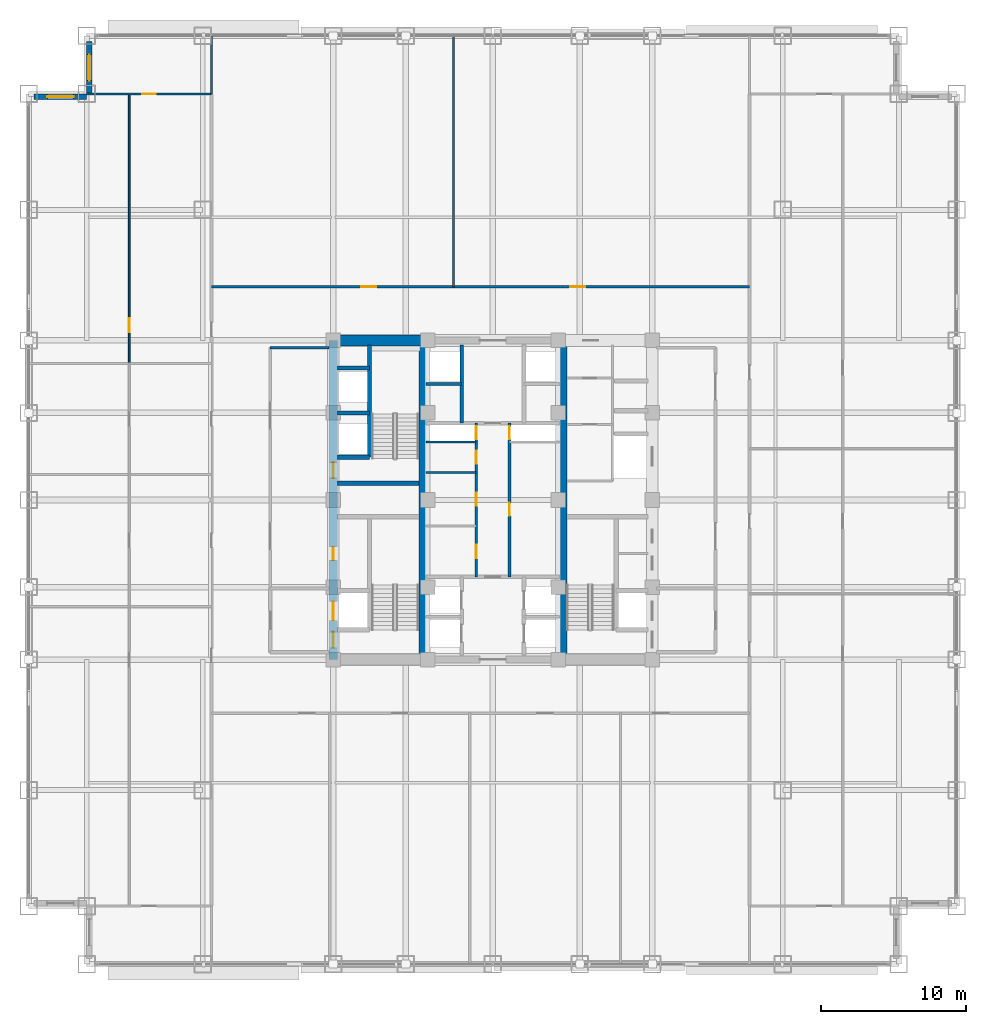
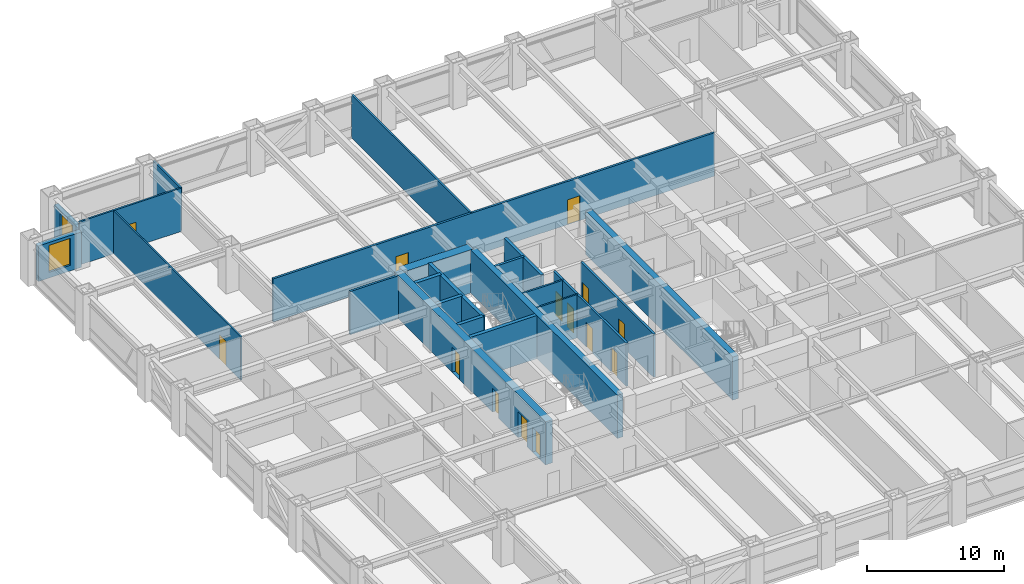
# One storey, part 25 of 32: 23 walls, 14 doors, 2 windows, 16 openings.
"""IFC4 building model written with IfcOpenShell, lengths in metres."""

from ifc_helpers import new_model, si_unit, direction, frame, frame_2d, origin, place, context, subcontext, project, spatial, rectangle, extrude, source, transform, mapped, material, layer, layer_set, type_object, element, fill, save


model = new_model("IFC4")

# Units and contexts
model_context = context("Model", 3, precision=1e-05, world=origin(), true_north=direction((0.0, 1.0)))
body_context = subcontext(model_context, "Body", "Model", "MODEL_VIEW")
ifc_project = project(units=[si_unit("LENGTHUNIT", "METRE"), si_unit("AREAUNIT", "SQUARE_METRE"), si_unit("VOLUMEUNIT", "CUBIC_METRE"), si_unit("PLANEANGLEUNIT", "RADIAN"), si_unit("MASSUNIT", "GRAM", prefix="KILO")], contexts=[model_context])

# Site, building, storey
site_placement = place(None, origin())
site = spatial("IfcSite", under=ifc_project, at=site_placement, CompositionType="ELEMENT")
building_placement = place(site_placement, origin())
building = spatial("IfcBuilding", under=site, at=building_placement, Name="Khorayat Bourse Tower", CompositionType="ELEMENT")
storey_placement = place(building_placement, frame((0.0, 0.0, 128.300048828125)))
storey = spatial("IfcBuildingStorey", under=building, at=storey_placement, Name="L29", CompositionType="ELEMENT", Elevation=128.300048828125)

# Wall, openings, doors
ifc_material_1 = material(Name="Concrete C60/75", Category="concrete")
ifc_layer_1 = layer(ifc_material_1, 0.60009765625)
ifc_layer_set_1 = layer_set([ifc_layer_1], Name="Concrete C60/75")
wall_type_1 = type_object("IfcWallType", Name="WAL-CORE-600", PredefinedType="SHEAR", material=ifc_layer_set_1)
shared_shape_1 = source(origin(), body_context, "Body", "SweptSolid", [
    extrude(rectangle(XDim=22.0, YDim=0.60009765625, at=frame_2d((11.0, 0.0))), origin(), (0.0, 0.0, 1.0), 3.83984375),
])
wall_1_placement = place(storey_placement, frame((-11.0, -11.0, 0.0), z_axis=(0.0, 0.0, 1.0), x_axis=(0.0, 1.0, 0.0)))
wall_1 = element("IfcWall", 1, at=wall_1_placement, inside=storey, type_object=wall_type_1, Name="L29 Core Shear Wall CORE-W", PredefinedType="SHEAR", context=body_context, shape_type="MappedRepresentation", body=[
    mapped(shared_shape_1, transform((0.0, 0.0, 0.0), scale=1.0)),
])
shared_shape_2 = source(origin(), body_context, "Body", "SweptSolid", [
    extrude(rectangle(XDim=1.10009765625, YDim=2.199951171875, at=frame_2d((0.550048828125, 1.10009765625))), frame((0.0, 0.31005859375, 0.0), z_axis=(0.0, -1.0, 0.0), x_axis=(1.0, 0.0, 0.0)), (0.0, 0.0, 1.0), 0.6201171875),
])
opening_1_placement = place(wall_1_placement, frame((0.800048828125, 0.0, 0.0)))
opening_1 = element("IfcOpeningElement", 2, at=opening_1_placement, cuts=wall_1, Name="Opening DI-01", PredefinedType="OPENING", context=body_context, shape_type="MappedRepresentation", body=[
    mapped(shared_shape_2, transform((0.0, 0.0, 0.0), scale=1.0)),
])
opening_2_placement = place(wall_1_placement, frame((12.5, 0.0, 0.0)))
opening_2 = element("IfcOpeningElement", 3, at=opening_2_placement, cuts=wall_1, Name="Opening DI-01", PredefinedType="OPENING", context=body_context, shape_type="MappedRepresentation", body=[
    mapped(shared_shape_2, transform((0.0, 0.0, 0.0), scale=1.0)),
])
shared_shape_3 = source(origin(), body_context, "Body", "SweptSolid", [
    extrude(rectangle(XDim=0.89990234375, YDim=2.14990234375, at=frame_2d((0.449951171875, 1.074951171875))), frame((0.0, 0.31005859375, 0.0), z_axis=(0.0, -1.0, 0.0), x_axis=(1.0, 0.0, 0.0)), (0.0, 0.0, 1.0), 0.6201171875),
])
opening_3_placement = place(wall_1_placement, frame((6.85009765625, 0.0, 0.0)))
opening_3 = element("IfcOpeningElement", 4, at=opening_3_placement, cuts=wall_1, Name="Opening DI-06", PredefinedType="OPENING", context=body_context, shape_type="MappedRepresentation", body=[
    mapped(shared_shape_3, transform((0.0, 0.0, 0.0), scale=1.0)),
])
shared_shape_4 = source(origin(), body_context, "Body", "SweptSolid", [
    extrude(rectangle(XDim=1.300048828125, YDim=2.300048828125, at=frame_2d((0.64990234375, 1.14990234375))), frame((0.0, 0.31005859375, 0.0), z_axis=(0.0, -1.0, 0.0), x_axis=(1.0, 0.0, 0.0)), (0.0, 0.0, 1.0), 0.6201171875),
])
opening_4_placement = place(wall_1_placement, frame((2.699951171875, 0.0, 0.0)))
opening_4 = element("IfcOpeningElement", 5, at=opening_4_placement, cuts=wall_1, Name="Opening LD-02", PredefinedType="OPENING", context=body_context, shape_type="MappedRepresentation", body=[
    mapped(shared_shape_4, transform((0.0, 0.0, 0.0), scale=1.0)),
])
ifc_material_2 = material(Name="Fire-rated steel acoustic leaf", Category="steel")
door_type_1 = type_object("IfcDoorType", Name="DR-INT-STAIR-1100", OperationType="NOTDEFINED", PredefinedType="DOOR", material=ifc_material_2)
shared_shape_5 = source(origin(), body_context, "Body", "SweptSolid", [
    extrude(rectangle(XDim=1.10009765625, YDim=2.199951171875, at=frame_2d((0.550048828125, 1.10009765625))), frame((0.0, 0.02490234375, 0.0), z_axis=(0.0, -1.0, 0.0), x_axis=(1.0, 0.0, 0.0)), (0.0, 0.0, 1.0), 0.050048828125),
])
door_1_placement = place(opening_1_placement, origin())
door_1 = element("IfcDoor", 6, at=door_1_placement, inside=storey, type_object=door_type_1, Name="L29 Exit Stair 1 Door", OperationType="SINGLE_SWING_RIGHT", OverallHeight=2.199951171875, OverallWidth=1.10009765625, PredefinedType="DOOR", context=body_context, shape_type="MappedRepresentation", body=[
    mapped(shared_shape_5, transform((0.0, 0.0, 0.0), scale=1.0)),
])
fill(opening_1, door_1)
door_2_placement = place(opening_2_placement, origin())
door_2 = element("IfcDoor", 7, at=door_2_placement, inside=storey, type_object=door_type_1, Name="L29 Exit Stair 2 Door", OperationType="SINGLE_SWING_RIGHT", OverallHeight=2.199951171875, OverallWidth=1.10009765625, PredefinedType="DOOR", context=body_context, shape_type="MappedRepresentation", body=[
    mapped(shared_shape_5, transform((0.0, 0.0, 0.0), scale=1.0)),
])
fill(opening_2, door_2)
ifc_material_3 = material(Name="Moisture-resistant laminate washroom door")
door_type_2 = type_object("IfcDoorType", Name="DR-INT-WC-900", OperationType="NOTDEFINED", PredefinedType="DOOR", material=ifc_material_3)
shared_shape_6 = source(origin(), body_context, "Body", "SweptSolid", [
    extrude(rectangle(XDim=0.89990234375, YDim=2.14990234375, at=frame_2d((0.449951171875, 1.074951171875))), frame((0.0, 0.02490234375, 0.0), z_axis=(0.0, -1.0, 0.0), x_axis=(1.0, 0.0, 0.0)), (0.0, 0.0, 1.0), 0.050048828125),
])
door_3_placement = place(opening_3_placement, origin())
door_3 = element("IfcDoor", 8, at=door_3_placement, inside=storey, type_object=door_type_2, Name="L29 Electrical Switch Plant Room Door", OperationType="SINGLE_SWING_RIGHT", OverallHeight=2.14990234375, OverallWidth=0.89990234375, PredefinedType="DOOR", context=body_context, shape_type="MappedRepresentation", body=[
    mapped(shared_shape_6, transform((0.0, 0.0, 0.0), scale=1.0)),
])
fill(opening_3, door_3)
ifc_material_4 = material(Name="Fire-rated stainless-steel sliding landing door", Category="steel")
door_type_3 = type_object("IfcDoorType", Name="DR-LIFT-FF-1300", OperationType="NOTDEFINED", PredefinedType="DOOR", material=ifc_material_4)
shared_shape_7 = source(origin(), body_context, "Body", "SweptSolid", [
    extrude(rectangle(XDim=1.300048828125, YDim=2.300048828125, at=frame_2d((0.64990234375, 1.14990234375))), frame((0.0, 0.02490234375, 0.0), z_axis=(0.0, -1.0, 0.0), x_axis=(1.0, 0.0, 0.0)), (0.0, 0.0, 1.0), 0.050048828125),
])
door_4_placement = place(opening_4_placement, origin())
door_4 = element("IfcDoor", 9, at=door_4_placement, inside=storey, type_object=door_type_3, Name="L29 Lift FFL-01 Sliding Landing Door", OperationType="SLIDING_TO_LEFT", OverallHeight=2.300048828125, OverallWidth=1.300048828125, PredefinedType="DOOR", context=body_context, shape_type="MappedRepresentation", body=[
    mapped(shared_shape_7, transform((0.0, 0.0, 0.0), scale=1.0)),
])
fill(opening_4, door_4)

# Walls
ifc_material_5 = material(Name="Concrete C52/65", Category="concrete")
ifc_layer_2 = layer(ifc_material_5, 0.5)
ifc_layer_set_2 = layer_set([ifc_layer_2], Name="Concrete C52/65")
wall_type_2 = type_object("IfcWallType", Name="WAL-CORE-500", PredefinedType="SHEAR", material=ifc_layer_set_2)
shared_shape_8 = source(origin(), body_context, "Body", "SweptSolid", [
    extrude(rectangle(XDim=21.39990234375, YDim=0.5, at=frame_2d((10.699951171875, 0.0))), origin(), (0.0, 0.0, 1.0), 3.83984375),
])
for number, where, z_axis, x_axis, name in (
    (10, (-4.85009765625, -10.699951171875, 0.0), (0.0, 0.0, 1.0), (0.0, 1.0, 0.0), "L29 Core Shear Wall PIER-W"),
    (11, (4.85009765625, -10.699951171875, 0.0), (0.0, 0.0, 1.0), (0.0, 1.0, 0.0), "L29 Core Shear Wall PIER-E"),
):
    element("IfcWall", number, at=place(storey_placement, frame(where, z_axis=z_axis, x_axis=x_axis)), inside=storey, type_object=wall_type_2, Name=name, PredefinedType="SHEAR", context=body_context, shape_type="MappedRepresentation", body=[
        mapped(shared_shape_8, transform((0.0, 0.0, 0.0), scale=1.0)),
    ])
ifc_material_6 = material(Name="Concrete C72/90", Category="concrete")
ifc_layer_3 = layer(ifc_material_6, 0.75)
ifc_layer_set_3 = layer_set([ifc_layer_3], Name="Concrete C72/90")
wall_type_3 = type_object("IfcWallType", Name="WAL-CORE-750", PredefinedType="SHEAR", material=ifc_layer_set_3)
shared_shape_9 = source(origin(), body_context, "Body", "SweptSolid", [
    extrude(rectangle(XDim=5.849853515625, YDim=0.75, at=frame_2d((2.9248046875, 0.0))), origin(), (0.0, 0.0, 1.0), 3.83984375),
])
wall_2_placement = place(storey_placement, frame((-10.699951171875, 11.0, 0.0), z_axis=(0.0, 0.0, 1.0), x_axis=(1.0, 0.0, 0.0)))
element("IfcWall", 12, at=wall_2_placement, inside=storey, type_object=wall_type_3, Name="L29 Core Shear Wall PIER-WN", PredefinedType="SHEAR", context=body_context, shape_type="MappedRepresentation", body=[
    mapped(shared_shape_9, transform((0.0, 0.0, 0.0), scale=1.0)),
])
ifc_material_7 = material(Name="Concrete C50/60", Category="concrete")
ifc_layer_4 = layer(ifc_material_7, 0.300048828125)
ifc_layer_set_4 = layer_set([ifc_layer_4], Name="Concrete C50/60")
wall_type_4 = type_object("IfcWallType", Name="WAL-SHAFT-300", PredefinedType="SHEAR", material=ifc_layer_set_4)
shared_shape_10 = source(origin(), body_context, "Body", "SweptSolid", [
    extrude(rectangle(XDim=5.599853515625, YDim=0.300048828125, at=frame_2d((2.7998046875, 0.0))), origin(), (0.0, 0.0, 1.0), 3.83984375),
])
wall_3_placement = place(storey_placement, frame((-10.699951171875, 1.14990234375, 0.0), z_axis=(0.0, 0.0, 1.0), x_axis=(1.0, 0.0, 0.0)))
element("IfcWall", 13, at=wall_3_placement, inside=storey, type_object=wall_type_4, Name="L29 Core Shear Wall ST2-DIV", PredefinedType="SHEAR", context=body_context, shape_type="MappedRepresentation", body=[
    mapped(shared_shape_10, transform((0.0, 0.0, 0.0), scale=1.0)),
])

# Wall, opening, window
ifc_material_8 = material(Name="Precast concrete C45/55", Category="concrete")
ifc_layer_5 = layer(ifc_material_8, 0.3798828125)
ifc_layer_set_5 = layer_set([ifc_layer_5], Name="Precast concrete C45/55")
wall_type_5 = type_object("IfcWallType", Name="WAL-EXT-STONE-380", PredefinedType="STANDARD", material=ifc_layer_set_5)
shared_shape_11 = source(origin(), body_context, "Body", "SweptSolid", [
    extrude(rectangle(XDim=3.6201171875, YDim=0.3798828125, at=frame_2d((1.81005859375, 0.0))), origin(), (0.0, 0.0, 1.0), 3.14501953125),
])
wall_4_placement = place(storey_placement, frame((-27.81005859375, 28.0, 0.0), z_axis=(0.0, 0.0, 1.0), x_axis=(0.0, 1.0, 0.0)))
wall_4 = element("IfcWall", 14, at=wall_4_placement, inside=storey, type_object=wall_type_5, Name="L29 Re-Entrant Notch Limestone Wall NW-V", PredefinedType="STANDARD", context=body_context, shape_type="MappedRepresentation", body=[
    mapped(shared_shape_11, transform((0.0, 0.0, 0.0), scale=1.0)),
])
shared_shape_12 = source(origin(), body_context, "Body", "SweptSolid", [
    extrude(rectangle(XDim=1.800048828125, YDim=2.39990234375, at=frame_2d((0.89990234375, 1.199951171875))), frame((0.0, 0.199951171875, 0.0), z_axis=(0.0, -1.0, 0.0), x_axis=(1.0, 0.0, 0.0)), (0.0, 0.0, 1.0), 0.39990234375),
])
opening_5_placement = place(wall_4_placement, frame((0.909912109375, 0.0, 0.5)))
opening_5 = element("IfcOpeningElement", 15, at=opening_5_placement, cuts=wall_4, Name="Opening WN-04", PredefinedType="OPENING", context=body_context, shape_type="MappedRepresentation", body=[
    mapped(shared_shape_12, transform((0.0, 0.0, 0.0), scale=1.0)),
])
ifc_material_9 = material(Name="Low-E acoustic laminated double glazing", Category="glass")
window_type = type_object("IfcWindowType", Name="WIN-NOTCH-1800x2400", PartitioningType="SINGLE_PANEL", PredefinedType="WINDOW", material=ifc_material_9)
shared_shape_13 = source(origin(), body_context, "Body", "SweptSolid", [
    extrude(rectangle(XDim=1.800048828125, YDim=2.39990234375, at=frame_2d((0.89990234375, 1.199951171875))), frame((0.0, 0.030029296875, 0.0), z_axis=(0.0, -1.0, 0.0), x_axis=(1.0, 0.0, 0.0)), (0.0, 0.0, 1.0), 0.06005859375),
])
window_1_placement = place(opening_5_placement, origin())
window_1 = element("IfcWindow", 16, at=window_1_placement, inside=storey, type_object=window_type, Name="L29 Facade Window 1", OverallHeight=2.39990234375, OverallWidth=1.800048828125, PartitioningType="SINGLE_PANEL", PredefinedType="WINDOW", context=body_context, shape_type="MappedRepresentation", body=[
    mapped(shared_shape_13, transform((0.0, 0.0, 0.0), scale=1.0)),
])
fill(opening_5, window_1)

wall_5_placement = place(storey_placement, frame((-28.0, 27.81005859375, 0.0), z_axis=(0.0, 0.0, 1.0), x_axis=(-1.0, 0.0, 0.0)))
wall_5 = element("IfcWall", 17, at=wall_5_placement, inside=storey, type_object=wall_type_5, Name="L29 Re-Entrant Notch Limestone Wall NW-H", PredefinedType="STANDARD", context=body_context, shape_type="MappedRepresentation", body=[
    mapped(shared_shape_11, transform((0.0, 0.0, 0.0), scale=1.0)),
])
opening_6_placement = place(wall_5_placement, frame((0.909912109375, 0.0, 0.5)))
opening_6 = element("IfcOpeningElement", 18, at=opening_6_placement, cuts=wall_5, Name="Opening WN-04", PredefinedType="OPENING", context=body_context, shape_type="MappedRepresentation", body=[
    mapped(shared_shape_12, transform((0.0, 0.0, 0.0), scale=1.0)),
])
window_2_placement = place(opening_6_placement, origin())
window_2 = element("IfcWindow", 19, at=window_2_placement, inside=storey, type_object=window_type, Name="L29 Facade Window 1", OverallHeight=2.39990234375, OverallWidth=1.800048828125, PartitioningType="SINGLE_PANEL", PredefinedType="WINDOW", context=body_context, shape_type="MappedRepresentation", body=[
    mapped(shared_shape_13, transform((0.0, 0.0, 0.0), scale=1.0)),
])
fill(opening_6, window_2)

# Walls
shared_shape_14 = source(origin(), body_context, "Body", "SweptSolid", [
    extrude(rectangle(XDim=2.199951171875, YDim=0.300048828125, at=frame_2d((1.10009765625, 0.0))), origin(), (0.0, 0.0, 1.0), 3.83984375),
])
for number, where, z_axis, x_axis, name in (
    (20, (-10.699951171875, 2.949951171875, 0.0), (0.0, 0.0, 1.0), (1.0, 0.0, 0.0), "L29 Partition WAL-L29-WPIER-H1S"),
    (21, (-10.699951171875, 6.0, 0.0), (0.0, 0.0, 1.0), (1.0, 0.0, 0.0), "L29 Partition WAL-L29-WPIER-H12"),
    (22, (-10.699951171875, 9.10009765625, 0.0), (0.0, 0.0, 1.0), (1.0, 0.0, 0.0), "L29 Partition WAL-L29-WPIER-H2N"),
):
    element("IfcWall", number, at=place(storey_placement, frame(where, z_axis=z_axis, x_axis=x_axis)), inside=storey, type_object=wall_type_4, Name=name, PredefinedType="SHEAR", context=body_context, shape_type="MappedRepresentation", body=[
        mapped(shared_shape_14, transform((0.0, 0.0, 0.0), scale=1.0)),
    ])
shared_shape_15 = source(origin(), body_context, "Body", "SweptSolid", [
    extrude(rectangle(XDim=7.75, YDim=0.300048828125, at=frame_2d((3.875, 0.0))), origin(), (0.0, 0.0, 1.0), 3.83984375),
])
wall_6_placement = place(storey_placement, frame((-8.5, 2.949951171875, 0.0), z_axis=(0.0, 0.0, 1.0), x_axis=(0.0, 1.0, 0.0)))
element("IfcWall", 23, at=wall_6_placement, inside=storey, type_object=wall_type_4, Name="L29 Partition WAL-L29-WPIER-ST2S", PredefinedType="SHEAR", context=body_context, shape_type="MappedRepresentation", body=[
    mapped(shared_shape_15, transform((0.0, 0.0, 0.0), scale=1.0)),
])
ifc_material_10 = material(Name="Gypsum plasterboard acoustic stud wall")
ifc_layer_6 = layer(ifc_material_10, 0.179931640625)
ifc_layer_set_6 = layer_set([ifc_layer_6], Name="Gypsum plasterboard acoustic stud wall")
wall_type_6 = type_object("IfcWallType", Name="WAL-PART-CORR-180", PredefinedType="PARTITIONING", material=ifc_layer_set_6)
shared_shape_16 = source(origin(), body_context, "Body", "SweptSolid", [
    extrude(rectangle(XDim=4.050048828125, YDim=0.179931640625, at=frame_2d((2.02490234375, 0.0))), origin(), (0.0, 0.0, 1.0), 3.83984375),
])
wall_7_placement = place(storey_placement, frame((-15.35009765625, 10.5, 0.0), z_axis=(0.0, 0.0, 1.0), x_axis=(1.0, 0.0, 0.0)))
element("IfcWall", 24, at=wall_7_placement, inside=storey, type_object=wall_type_6, Name="L29 Partition WAL-L29-WLOB-N", PredefinedType="PARTITIONING", context=body_context, shape_type="MappedRepresentation", body=[
    mapped(shared_shape_16, transform((0.0, 0.0, 0.0), scale=1.0)),
])
ifc_material_11 = material(Name="Gypsum plasterboard twin-frame partition")
ifc_layer_7 = layer(ifc_material_11, 0.14990234375)
ifc_layer_set_7 = layer_set([ifc_layer_7], Name="Gypsum plasterboard twin-frame partition")
wall_type_7 = type_object("IfcWallType", Name="WAL-PART-SUITE-150", PredefinedType="PARTITIONING", material=ifc_layer_set_7)
shared_shape_17 = source(origin(), body_context, "Body", "SweptSolid", [
    extrude(rectangle(XDim=3.4501953125, YDim=0.14990234375, at=frame_2d((1.72509765625, 0.0))), origin(), (0.0, 0.0, 1.0), 3.83984375),
])
wall_8_placement = place(storey_placement, frame((-4.60009765625, 4.0, 0.0), z_axis=(0.0, 0.0, 1.0), x_axis=(1.0, 0.0, 0.0)))
element("IfcWall", 25, at=wall_8_placement, inside=storey, type_object=wall_type_7, Name="L29 Partition WAL-L29-CRSW-S", PredefinedType="PARTITIONING", context=body_context, shape_type="MappedRepresentation", body=[
    mapped(shared_shape_17, transform((0.0, 0.0, 0.0), scale=1.0)),
])
shared_shape_18 = source(origin(), body_context, "Body", "SweptSolid", [
    extrude(rectangle(XDim=5.39990234375, YDim=0.25, at=frame_2d((2.699951171875, 0.0))), origin(), (0.0, 0.0, 1.0), 3.83984375),
])
wall_9_placement = place(storey_placement, frame((-2.14990234375, 5.300048828125, 0.0), z_axis=(0.0, 0.0, 1.0), x_axis=(0.0, 1.0, 0.0)))
element("IfcWall", 26, at=wall_9_placement, inside=storey, type_object=wall_type_4, Name="L29 Partition WAL-L29-B2-W", PredefinedType="SHEAR", context=body_context, shape_type="MappedRepresentation", body=[
    mapped(shared_shape_18, transform((0.0, 0.0, 0.0), scale=1.0)),
])
shared_shape_19 = source(origin(), body_context, "Body", "SweptSolid", [
    extrude(rectangle(XDim=2.4501953125, YDim=0.199951171875, at=frame_2d((1.22509765625, 0.0))), origin(), (0.0, 0.0, 1.0), 3.83984375),
])
wall_10_placement = place(storey_placement, frame((-4.60009765625, 8.0, 0.0), z_axis=(0.0, 0.0, 1.0), x_axis=(1.0, 0.0, 0.0)))
element("IfcWall", 27, at=wall_10_placement, inside=storey, type_object=wall_type_4, Name="L29 Partition WAL-L29-B2-MW", PredefinedType="SHEAR", context=body_context, shape_type="MappedRepresentation", body=[
    mapped(shared_shape_19, transform((0.0, 0.0, 0.0), scale=1.0)),
])

# Wall, openings, doors
shared_shape_20 = source(origin(), body_context, "Body", "SweptSolid", [
    extrude(rectangle(XDim=10.60009765625, YDim=0.179931640625, at=frame_2d((5.300048828125, 0.0))), origin(), (0.0, 0.0, 1.0), 3.83984375),
])
wall_11_placement = place(storey_placement, frame((-1.14990234375, -5.300048828125, 0.0), z_axis=(0.0, 0.0, 1.0), x_axis=(0.0, 1.0, 0.0)))
wall_11 = element("IfcWall", 28, at=wall_11_placement, inside=storey, type_object=wall_type_6, Name="L29 Partition WAL-L29-CMW-L", PredefinedType="PARTITIONING", context=body_context, shape_type="MappedRepresentation", body=[
    mapped(shared_shape_20, transform((0.0, 0.0, 0.0), scale=1.0)),
])
shared_shape_21 = source(origin(), body_context, "Body", "SweptSolid", [
    extrude(rectangle(XDim=0.89990234375, YDim=2.14990234375, at=frame_2d((0.449951171875, 1.074951171875))), frame((0.0, 0.099853515625, 0.0), z_axis=(0.0, -1.0, 0.0), x_axis=(1.0, 0.0, 0.0)), (0.0, 0.0, 1.0), 0.199951171875),
])
opening_7_placement = place(wall_11_placement, frame((1.300048828125, 0.0, 0.0)))
opening_7 = element("IfcOpeningElement", 29, at=opening_7_placement, cuts=wall_11, Name="Opening DI-06", PredefinedType="OPENING", context=body_context, shape_type="MappedRepresentation", body=[
    mapped(shared_shape_21, transform((0.0, 0.0, 0.0), scale=1.0)),
])
opening_8_placement = place(wall_11_placement, frame((4.89990234375, 0.0, 0.0)))
opening_8 = element("IfcOpeningElement", 30, at=opening_8_placement, cuts=wall_11, Name="Opening DI-06", PredefinedType="OPENING", context=body_context, shape_type="MappedRepresentation", body=[
    mapped(shared_shape_21, transform((0.0, 0.0, 0.0), scale=1.0)),
])
opening_9_placement = place(wall_11_placement, frame((7.800048828125, 0.0, 0.0)))
opening_9 = element("IfcOpeningElement", 31, at=opening_9_placement, cuts=wall_11, Name="Opening DI-06", PredefinedType="OPENING", context=body_context, shape_type="MappedRepresentation", body=[
    mapped(shared_shape_21, transform((0.0, 0.0, 0.0), scale=1.0)),
])
opening_10_placement = place(wall_11_placement, frame((9.47509765625, 0.0, 0.0)))
opening_10 = element("IfcOpeningElement", 32, at=opening_10_placement, cuts=wall_11, Name="Opening DI-06", PredefinedType="OPENING", context=body_context, shape_type="MappedRepresentation", body=[
    mapped(shared_shape_21, transform((0.0, 0.0, 0.0), scale=1.0)),
])
door_5_placement = place(opening_7_placement, origin())
door_5 = element("IfcDoor", 33, at=door_5_placement, inside=storey, type_object=door_type_2, Name="L29 Male Core Washroom Door", OperationType="SINGLE_SWING_RIGHT", OverallHeight=2.14990234375, OverallWidth=0.89990234375, PredefinedType="DOOR", context=body_context, shape_type="MappedRepresentation", body=[
    mapped(shared_shape_6, transform((0.0, 0.0, 0.0), scale=1.0)),
])
fill(opening_7, door_5)
door_6_placement = place(opening_8_placement, origin())
door_6 = element("IfcDoor", 34, at=door_6_placement, inside=storey, type_object=door_type_2, Name="L29 AHU Fan Plant Room Door", OperationType="SINGLE_SWING_LEFT", OverallHeight=2.14990234375, OverallWidth=0.89990234375, PredefinedType="DOOR", context=body_context, shape_type="MappedRepresentation", body=[
    mapped(shared_shape_6, transform((0.0, 0.0, 0.0), scale=1.0)),
])
fill(opening_8, door_6)
door_7_placement = place(opening_9_placement, origin())
door_7 = element("IfcDoor", 35, at=door_7_placement, inside=storey, type_object=door_type_2, Name="L29 Janitor Store Door", OperationType="SINGLE_SWING_RIGHT", OverallHeight=2.14990234375, OverallWidth=0.89990234375, PredefinedType="DOOR", context=body_context, shape_type="MappedRepresentation", body=[
    mapped(shared_shape_6, transform((0.0, 0.0, 0.0), scale=1.0)),
])
fill(opening_9, door_7)
door_8_placement = place(opening_10_placement, origin())
door_8 = element("IfcDoor", 36, at=door_8_placement, inside=storey, type_object=door_type_2, Name="L29 West Core Riser Door", OperationType="SINGLE_SWING_LEFT", OverallHeight=2.14990234375, OverallWidth=0.89990234375, PredefinedType="DOOR", context=body_context, shape_type="MappedRepresentation", body=[
    mapped(shared_shape_6, transform((0.0, 0.0, 0.0), scale=1.0)),
])
fill(opening_10, door_8)

wall_12_placement = place(storey_placement, frame((1.14990234375, -5.300048828125, 0.0), z_axis=(0.0, 0.0, 1.0), x_axis=(0.0, 1.0, 0.0)))
wall_12 = element("IfcWall", 37, at=wall_12_placement, inside=storey, type_object=wall_type_6, Name="L29 Partition WAL-L29-CME-L", PredefinedType="PARTITIONING", context=body_context, shape_type="MappedRepresentation", body=[
    mapped(shared_shape_20, transform((0.0, 0.0, 0.0), scale=1.0)),
])
opening_11_placement = place(wall_12_placement, frame((4.199951171875, 0.0, 0.0)))
opening_11 = element("IfcOpeningElement", 38, at=opening_11_placement, cuts=wall_12, Name="Opening DI-06", PredefinedType="OPENING", context=body_context, shape_type="MappedRepresentation", body=[
    mapped(shared_shape_21, transform((0.0, 0.0, 0.0), scale=1.0)),
])
opening_12_placement = place(wall_12_placement, frame((9.47509765625, 0.0, 0.0)))
opening_12 = element("IfcOpeningElement", 39, at=opening_12_placement, cuts=wall_12, Name="Opening DI-06", PredefinedType="OPENING", context=body_context, shape_type="MappedRepresentation", body=[
    mapped(shared_shape_21, transform((0.0, 0.0, 0.0), scale=1.0)),
])
door_9_placement = place(opening_11_placement, origin())
door_9 = element("IfcDoor", 40, at=door_9_placement, inside=storey, type_object=door_type_2, Name="L29 Female Core Washroom Door", OperationType="SINGLE_SWING_RIGHT", OverallHeight=2.14990234375, OverallWidth=0.89990234375, PredefinedType="DOOR", context=body_context, shape_type="MappedRepresentation", body=[
    mapped(shared_shape_6, transform((0.0, 0.0, 0.0), scale=1.0)),
])
fill(opening_11, door_9)
door_10_placement = place(opening_12_placement, origin())
door_10 = element("IfcDoor", 41, at=door_10_placement, inside=storey, type_object=door_type_2, Name="L29 East Core Riser Door", OperationType="SINGLE_SWING_RIGHT", OverallHeight=2.14990234375, OverallWidth=0.89990234375, PredefinedType="DOOR", context=body_context, shape_type="MappedRepresentation", body=[
    mapped(shared_shape_6, transform((0.0, 0.0, 0.0), scale=1.0)),
])
fill(opening_12, door_10)

# Wall
ifc_material_12 = material(Name="Moisture-resistant masonry partition", Category="masonry")
ifc_layer_8 = layer(ifc_material_12, 0.139892578125)
ifc_layer_set_8 = layer_set([ifc_layer_8], Name="Moisture-resistant masonry partition")
wall_type_8 = type_object("IfcWallType", Name="WAL-PART-WET-140", PredefinedType="PARTITIONING", material=ifc_layer_set_8)
shared_shape_22 = source(origin(), body_context, "Body", "SweptSolid", [
    extrude(rectangle(XDim=3.4501953125, YDim=0.139892578125, at=frame_2d((1.72509765625, 0.0))), origin(), (0.0, 0.0, 1.0), 3.83984375),
])
wall_13_placement = place(storey_placement, frame((-4.60009765625, 1.89990234375, 0.0), z_axis=(0.0, 0.0, 1.0), x_axis=(1.0, 0.0, 0.0)))
element("IfcWall", 42, at=wall_13_placement, inside=storey, type_object=wall_type_8, Name="L29 Partition WAL-L29-CMW-D2", PredefinedType="PARTITIONING", context=body_context, shape_type="MappedRepresentation", body=[
    mapped(shared_shape_22, transform((0.0, 0.0, 0.0), scale=1.0)),
])

# Wall, openings, doors
shared_shape_23 = source(origin(), body_context, "Body", "SweptSolid", [
    extrude(rectangle(XDim=37.099853515625, YDim=0.179931640625, at=frame_2d((18.5498046875, 0.0))), origin(), (0.0, 0.0, 1.0), 3.83984375),
])
wall_14_placement = place(storey_placement, frame((-19.39990234375, 14.699951171875, 0.0), z_axis=(0.0, 0.0, 1.0), x_axis=(1.0, 0.0, 0.0)))
wall_14 = element("IfcWall", 43, at=wall_14_placement, inside=storey, type_object=wall_type_6, Name="L29 Partition WAL-L29-NCORR", PredefinedType="PARTITIONING", context=body_context, shape_type="MappedRepresentation", body=[
    mapped(shared_shape_23, transform((0.0, 0.0, 0.0), scale=1.0)),
])
shared_shape_24 = source(origin(), body_context, "Body", "SweptSolid", [
    extrude(rectangle(XDim=1.050048828125, YDim=2.199951171875, at=frame_2d((0.52490234375, 1.10009765625))), frame((0.0, 0.099853515625, 0.0), z_axis=(0.0, -1.0, 0.0), x_axis=(1.0, 0.0, 0.0)), (0.0, 0.0, 1.0), 0.199951171875),
])
opening_13_placement = place(wall_14_placement, frame((10.322509765625, 0.0, 0.0)))
opening_13 = element("IfcOpeningElement", 44, at=opening_13_placement, cuts=wall_14, Name="Opening DI-04", PredefinedType="OPENING", context=body_context, shape_type="MappedRepresentation", body=[
    mapped(shared_shape_24, transform((0.0, 0.0, 0.0), scale=1.0)),
])
opening_14_placement = place(wall_14_placement, frame((24.722412109375, 0.0, 0.0)))
opening_14 = element("IfcOpeningElement", 45, at=opening_14_placement, cuts=wall_14, Name="Opening DI-04", PredefinedType="OPENING", context=body_context, shape_type="MappedRepresentation", body=[
    mapped(shared_shape_24, transform((0.0, 0.0, 0.0), scale=1.0)),
])
ifc_material_13 = material(Name="Fire-rated oak veneer suite entrance door")
door_type_4 = type_object("IfcDoorType", Name="DR-INT-SUITE-1050", OperationType="NOTDEFINED", PredefinedType="DOOR", material=ifc_material_13)
shared_shape_25 = source(origin(), body_context, "Body", "SweptSolid", [
    extrude(rectangle(XDim=1.050048828125, YDim=2.199951171875, at=frame_2d((0.52490234375, 1.10009765625))), frame((0.0, 0.02490234375, 0.0), z_axis=(0.0, -1.0, 0.0), x_axis=(1.0, 0.0, 0.0)), (0.0, 0.0, 1.0), 0.050048828125),
])
door_11_placement = place(opening_13_placement, origin())
door_11 = element("IfcDoor", 46, at=door_11_placement, inside=storey, type_object=door_type_4, Name="L29 Members Club Room N1 Door", OperationType="SINGLE_SWING_RIGHT", OverallHeight=2.199951171875, OverallWidth=1.050048828125, PredefinedType="DOOR", context=body_context, shape_type="MappedRepresentation", body=[
    mapped(shared_shape_25, transform((0.0, 0.0, 0.0), scale=1.0)),
])
fill(opening_13, door_11)
door_12_placement = place(opening_14_placement, origin())
door_12 = element("IfcDoor", 47, at=door_12_placement, inside=storey, type_object=door_type_4, Name="L29 Executive Wellness Fitness Gym N2 Door", OperationType="SINGLE_SWING_LEFT", OverallHeight=2.199951171875, OverallWidth=1.050048828125, PredefinedType="DOOR", context=body_context, shape_type="MappedRepresentation", body=[
    mapped(shared_shape_25, transform((0.0, 0.0, 0.0), scale=1.0)),
])
fill(opening_14, door_12)

# Wall
shared_shape_26 = source(origin(), body_context, "Body", "SweptSolid", [
    extrude(rectangle(XDim=4.0, YDim=0.14990234375, at=frame_2d((2.0, 0.0))), origin(), (0.0, 0.0, 1.0), 3.83984375),
])
wall_15_placement = place(storey_placement, frame((-19.39990234375, 28.0, 0.0), z_axis=(0.0, 0.0, 1.0), x_axis=(0.0, 1.0, 0.0)))
element("IfcWall", 48, at=wall_15_placement, inside=storey, type_object=wall_type_7, Name="L29 Partition WAL-L29-NCW-END", PredefinedType="PARTITIONING", context=body_context, shape_type="MappedRepresentation", body=[
    mapped(shared_shape_26, transform((0.0, 0.0, 0.0), scale=1.0)),
])

# Wall, opening, door
shared_shape_27 = source(origin(), body_context, "Body", "SweptSolid", [
    extrude(rectangle(XDim=8.60009765625, YDim=0.14990234375, at=frame_2d((4.300048828125, 0.0))), origin(), (0.0, 0.0, 1.0), 3.83984375),
])
wall_16_placement = place(storey_placement, frame((-28.0, 28.0, 0.0), z_axis=(0.0, 0.0, 1.0), x_axis=(1.0, 0.0, 0.0)))
wall_16 = element("IfcWall", 49, at=wall_16_placement, inside=storey, type_object=wall_type_7, Name="L29 Partition WAL-L29-CNW", PredefinedType="PARTITIONING", context=body_context, shape_type="MappedRepresentation", body=[
    mapped(shared_shape_27, transform((0.0, 0.0, 0.0), scale=1.0)),
])
shared_shape_28 = source(origin(), body_context, "Body", "SweptSolid", [
    extrude(rectangle(XDim=0.949951171875, YDim=2.14990234375, at=frame_2d((0.47509765625, 1.074951171875))), frame((0.0, 0.0849609375, 0.0), z_axis=(0.0, -1.0, 0.0), x_axis=(1.0, 0.0, 0.0)), (0.0, 0.0, 1.0), 0.169921875),
])
opening_15_placement = place(wall_16_placement, frame((3.824951171875, 0.0, 0.0)))
opening_15 = element("IfcOpeningElement", 50, at=opening_15_placement, cuts=wall_16, Name="Opening DI-05", PredefinedType="OPENING", context=body_context, shape_type="MappedRepresentation", body=[
    mapped(shared_shape_28, transform((0.0, 0.0, 0.0), scale=1.0)),
])
ifc_material_14 = material(Name="Acoustic oak veneer office door")
door_type_5 = type_object("IfcDoorType", Name="DR-INT-OFFICE-950", OperationType="NOTDEFINED", PredefinedType="DOOR", material=ifc_material_14)
shared_shape_29 = source(origin(), body_context, "Body", "SweptSolid", [
    extrude(rectangle(XDim=0.949951171875, YDim=2.14990234375, at=frame_2d((0.47509765625, 1.074951171875))), frame((0.0, 0.02490234375, 0.0), z_axis=(0.0, -1.0, 0.0), x_axis=(1.0, 0.0, 0.0)), (0.0, 0.0, 1.0), 0.050048828125),
])
door_13_placement = place(opening_15_placement, origin())
door_13 = element("IfcDoor", 51, at=door_13_placement, inside=storey, type_object=door_type_5, Name="L29 North-West Corner Meeting Room Door", OperationType="SINGLE_SWING_LEFT", OverallHeight=2.14990234375, OverallWidth=0.949951171875, PredefinedType="DOOR", context=body_context, shape_type="MappedRepresentation", body=[
    mapped(shared_shape_29, transform((0.0, 0.0, 0.0), scale=1.0)),
])
fill(opening_15, door_13)

# Wall
shared_shape_30 = source(origin(), body_context, "Body", "SweptSolid", [
    extrude(rectangle(XDim=17.300048828125, YDim=0.14990234375, at=frame_2d((8.64990234375, 0.0))), origin(), (0.0, 0.0, 1.0), 3.83984375),
])
wall_17_placement = place(storey_placement, frame((-2.705078125, 14.699951171875, 0.0), z_axis=(0.0, 0.0, 1.0), x_axis=(0.0, 1.0, 0.0)))
element("IfcWall", 52, at=wall_17_placement, inside=storey, type_object=wall_type_7, Name="L29 Partition WAL-L29-NDV-1", PredefinedType="PARTITIONING", context=body_context, shape_type="MappedRepresentation", body=[
    mapped(shared_shape_30, transform((0.0, 0.0, 0.0), scale=1.0)),
])

# Wall, opening, door
ifc_material_15 = material(Name="Gypsum plasterboard partition")
ifc_layer_9 = layer(ifc_material_15, 0.125)
ifc_layer_set_9 = layer_set([ifc_layer_9], Name="Gypsum plasterboard partition")
wall_type_9 = type_object("IfcWallType", Name="WAL-PART-ROOM-125", PredefinedType="PARTITIONING", material=ifc_layer_set_9)
shared_shape_31 = source(origin(), body_context, "Body", "SweptSolid", [
    extrude(rectangle(XDim=18.592041015625, YDim=0.125, at=frame_2d((9.2958984375, 0.0))), origin(), (0.0, 0.0, 1.0), 3.83984375),
])
wall_18_placement = place(storey_placement, frame((-25.070068359375, 9.407958984375, 0.0), z_axis=(0.0, 0.0, 1.0), x_axis=(0.0, 1.0, 0.0)))
wall_18 = element("IfcWall", 53, at=wall_18_placement, inside=storey, type_object=wall_type_9, Name="L29 Partition WAL-L29-WDP-4", PredefinedType="PARTITIONING", context=body_context, shape_type="MappedRepresentation", body=[
    mapped(shared_shape_31, transform((0.0, 0.0, 0.0), scale=1.0)),
])
shared_shape_32 = source(origin(), body_context, "Body", "SweptSolid", [
    extrude(rectangle(XDim=0.949951171875, YDim=2.14990234375, at=frame_2d((0.47509765625, 1.074951171875))), frame((0.0, 0.072509765625, 0.0), z_axis=(0.0, -1.0, 0.0), x_axis=(1.0, 0.0, 0.0)), (0.0, 0.0, 1.0), 0.14501953125),
])
opening_16_placement = place(wall_18_placement, frame((2.1708984375, 0.0, 0.0)))
opening_16 = element("IfcOpeningElement", 54, at=opening_16_placement, cuts=wall_18, Name="Opening DI-05", PredefinedType="OPENING", context=body_context, shape_type="MappedRepresentation", body=[
    mapped(shared_shape_32, transform((0.0, 0.0, 0.0), scale=1.0)),
])
door_14_placement = place(opening_16_placement, origin())
door_14 = element("IfcDoor", 55, at=door_14_placement, inside=storey, type_object=door_type_5, Name="L29 Quantitative Research Study W4B Door", OperationType="SINGLE_SWING_LEFT", OverallHeight=2.14990234375, OverallWidth=0.949951171875, PredefinedType="DOOR", context=body_context, shape_type="MappedRepresentation", body=[
    mapped(shared_shape_29, transform((0.0, 0.0, 0.0), scale=1.0)),
])
fill(opening_16, door_14)

save(model, "model.ifc")
